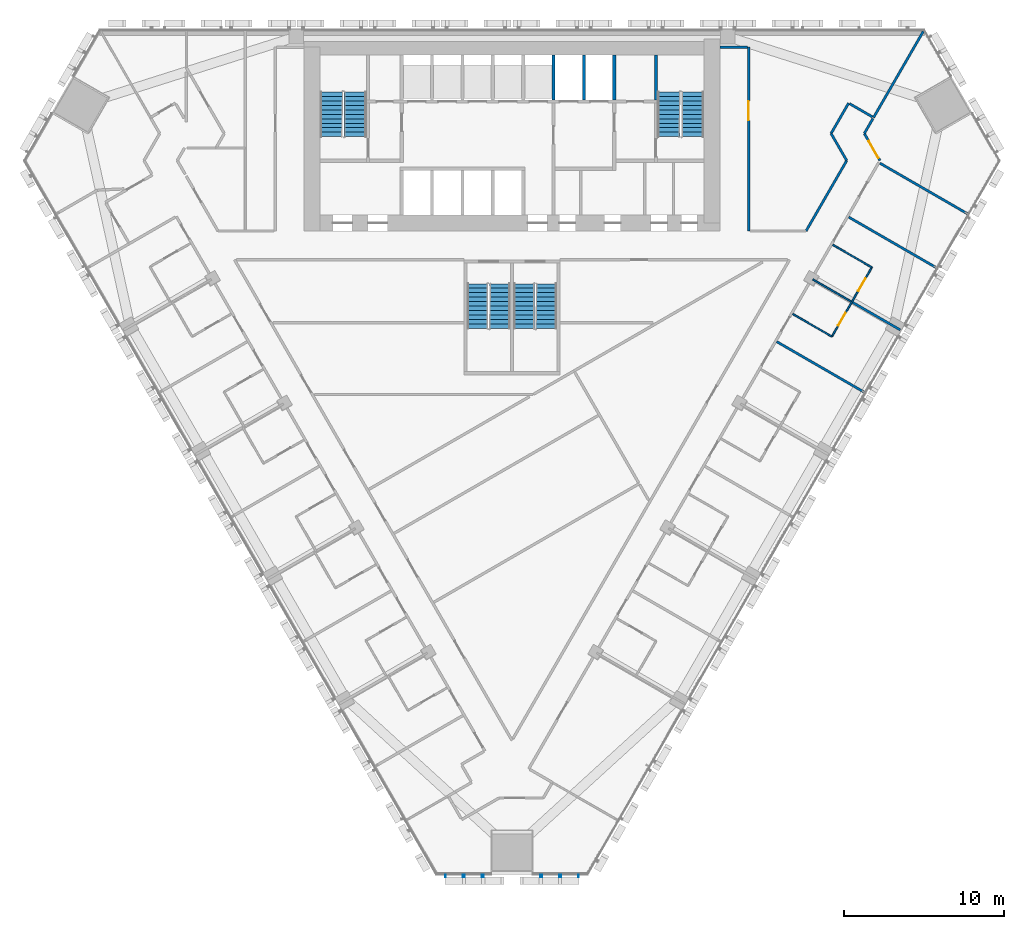
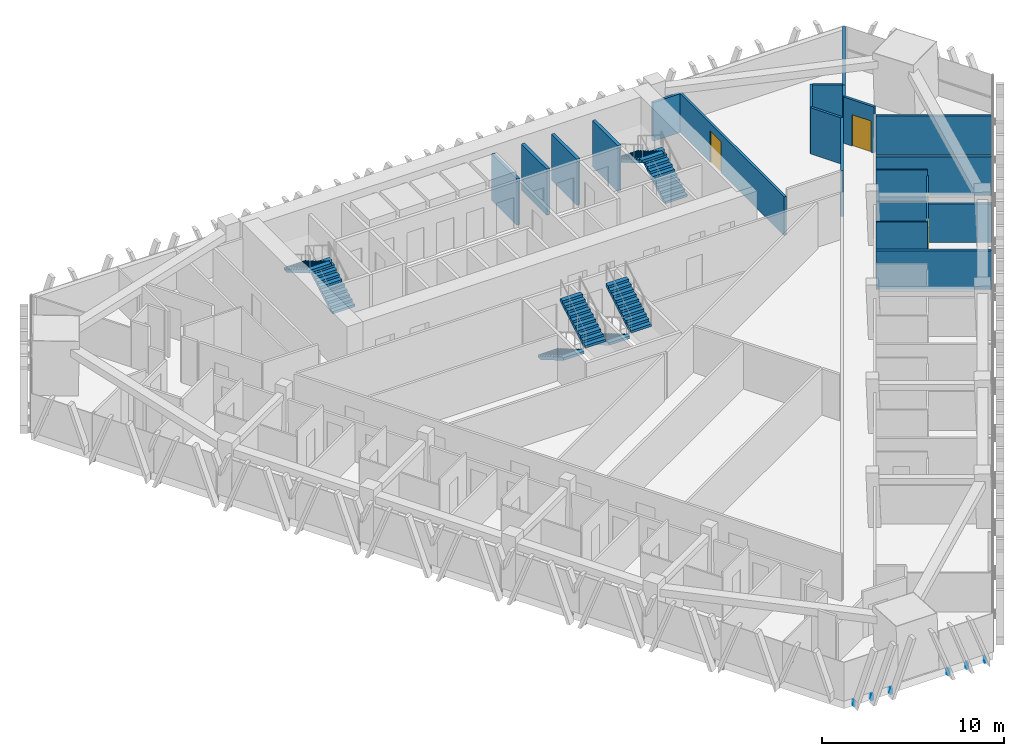
# One storey, part 13 of 17: 21 walls, 8 stair flights, 4 doors, 1 discrete accessory, 4 openings, 4 elements without a shape of their own.
"""IFC4 building model written with IfcOpenShell, lengths in metres."""

from ifc_helpers import new_model, si_unit, direction, frame, frame_2d, origin, place, context, subcontext, project, spatial, polyline, rectangle, outline, extrude, source, transform, mapped, material, layer, layer_set, type_object, element, fill, aggregate, save


model = new_model("IFC4")

# Units and contexts
model_context = context("Model", 3, precision=1e-05, world=origin(), true_north=direction((0.0, 1.0)))
body_context = subcontext(model_context, "Body", "Model", "MODEL_VIEW")
ifc_project = project(units=[si_unit("LENGTHUNIT", "METRE"), si_unit("AREAUNIT", "SQUARE_METRE"), si_unit("VOLUMEUNIT", "CUBIC_METRE"), si_unit("PLANEANGLEUNIT", "RADIAN"), si_unit("MASSUNIT", "GRAM", prefix="KILO")], contexts=[model_context])

# Site, building, storey
site_placement = place(None, origin())
site = spatial("IfcSite", under=ifc_project, at=site_placement, CompositionType="ELEMENT")
building_placement = place(site_placement, origin())
building = spatial("IfcBuilding", under=site, at=building_placement, Name="Altiplano Prism Tower", CompositionType="ELEMENT")
storey_placement = place(building_placement, frame((0.0, 0.0, 52.199951171875)))
storey = spatial("IfcBuildingStorey", under=building, at=storey_placement, Name="L12", CompositionType="ELEMENT", Elevation=52.199951171875)

# Walls
ifc_material_1 = material(Name="Plasterboard on steel stud", Category="steel")
ifc_layer_1 = layer(ifc_material_1, 0.10009765625)
ifc_layer_set_1 = layer_set([ifc_layer_1], Name="Plasterboard on steel stud")
wall_type_1 = type_object("IfcWallType", Name="Partition 100 unit", PredefinedType="PARTITIONING", material=ifc_layer_set_1)
for number, where, z_axis, x_axis, name in (
    (1, (105.009033203125, 85.796142578125, 0.0), (0.0, 0.0, 1.0), (-0.866048868473, 0.499959355765, 0.0), "Partition P02 L12 102"),
    (2, (105.0625, 91.538818359375, 0.0), (0.0, 0.0, 1.0), (0.866011447264, -0.500024172624, 0.0), "Partition P02 L12 105"),
):
    element("IfcWall", number, at=place(storey_placement, frame(where, z_axis=z_axis, x_axis=x_axis)), inside=storey, type_object=wall_type_1, Name=name, PredefinedType="PARTITIONING", context=body_context, shape_type="SweptSolid", body=[
        extrude(rectangle(XDim=2.824951171875, YDim=0.10009765625, at=frame_2d((1.41259765625, 0.0))), origin(), (0.0, 0.0, 1.0), 3.10009765625),
    ])

# Wall, openings, doors
wall_1_placement = place(storey_placement, frame((107.509033203125, 90.126220703125, 0.0), z_axis=(0.0, 0.0, 1.0), x_axis=(-0.500004234368, -0.866022959057, 0.0)))
wall_1 = element("IfcWall", 3, at=wall_1_placement, inside=storey, type_object=wall_type_1, Name="Partition P02 L12 106", PredefinedType="PARTITIONING", context=body_context, shape_type="SweptSolid", body=[
    extrude(rectangle(XDim=5.0, YDim=0.10009765625, at=frame_2d((2.5, 0.0))), origin(), (0.0, 0.0, 1.0), 2.699951171875),
])
opening_1_placement = place(wall_1_placement, frame((3.300048828125, 0.0, 0.0)))
opening_1 = element("IfcOpeningElement", 4, at=opening_1_placement, cuts=wall_1, Name="Opening D0508", PredefinedType="OPENING", context=body_context, shape_type="SweptSolid", body=[
    extrude(rectangle(XDim=0.89990234375, YDim=2.10009765625, at=frame_2d((0.449951171875, 1.050048828125))), frame((0.0, 0.060546875, 0.0), z_axis=(0.0, -1.0, 0.0), x_axis=(1.0, 0.0, 0.0)), (0.0, 0.0, 1.0), 0.12109375),
])
opening_2_placement = place(wall_1_placement, frame((0.800048828125, 0.0, 0.0)))
opening_2 = element("IfcOpeningElement", 5, at=opening_2_placement, cuts=wall_1, Name="Opening D0510", PredefinedType="OPENING", context=body_context, shape_type="SweptSolid", body=[
    extrude(rectangle(XDim=0.89990234375, YDim=2.10009765625, at=frame_2d((0.449951171875, 1.050048828125))), frame((0.0, 0.060546875, 0.0), z_axis=(0.0, -1.0, 0.0), x_axis=(1.0, 0.0, 0.0)), (0.0, 0.0, 1.0), 0.12109375),
])
ifc_material_2 = material(Name="Timber", Category="wood")
door_type_1 = type_object("IfcDoorType", Name="Ensuite door 900 x 2100", OperationType="NOTDEFINED", PredefinedType="NOTDEFINED", material=ifc_material_2)
door_1_placement = place(opening_1_placement, origin())
door_1 = element("IfcDoor", 6, at=door_1_placement, inside=storey, type_object=door_type_1, Name="Door D0508", OperationType="SINGLE_SWING_LEFT", OverallHeight=2.10009765625, OverallWidth=0.89990234375, PredefinedType="NOTDEFINED", context=body_context, shape_type="SweptSolid", body=[
    extrude(rectangle(XDim=0.89990234375, YDim=2.10009765625, at=frame_2d((0.449951171875, 1.050048828125))), frame((0.0, 0.02490234375, 0.0), z_axis=(0.0, -1.0, 0.0), x_axis=(1.0, 0.0, 0.0)), (0.0, 0.0, 1.0), 0.050048828125),
])
fill(opening_1, door_1)
door_2_placement = place(opening_2_placement, origin())
door_2 = element("IfcDoor", 7, at=door_2_placement, inside=storey, type_object=door_type_1, Name="Door D0510", OperationType="SINGLE_SWING_LEFT", OverallHeight=2.10009765625, OverallWidth=0.89990234375, PredefinedType="NOTDEFINED", context=body_context, shape_type="SweptSolid", body=[
    extrude(rectangle(XDim=0.89990234375, YDim=2.10009765625, at=frame_2d((0.449951171875, 1.050048828125))), frame((0.0, 0.02490234375, 0.0), z_axis=(0.0, -1.0, 0.0), x_axis=(1.0, 0.0, 0.0)), (0.0, 0.0, 1.0), 0.050048828125),
])
fill(opening_2, door_2)

# Wall
ifc_layer_2 = layer(ifc_material_1, 0.10009765625)
ifc_layer_set_2 = layer_set([ifc_layer_2], Name="Plasterboard on steel stud")
wall_type_2 = type_object("IfcWallType", Name="Partition 100 wet", PredefinedType="PARTITIONING", material=ifc_layer_set_2)
wall_2_placement = place(storey_placement, frame((106.215576171875, 87.986083984375, 0.0), z_axis=(0.0, 0.0, 1.0), x_axis=(-0.865981921271, 0.50007530636, 0.0)))
element("IfcWall", 8, at=wall_2_placement, inside=storey, type_object=wall_type_2, Name="Partition P03 L12 104", PredefinedType="PARTITIONING", context=body_context, shape_type="SweptSolid", body=[
    extrude(rectangle(XDim=2.77490234375, YDim=0.10009765625, at=frame_2d((1.387451171875, 0.0))), origin(), (0.0, 0.0, 1.0), 2.699951171875),
])

# Wall, opening, door
ifc_layer_3 = layer(ifc_material_1, 0.14990234375)
ifc_layer_set_3 = layer_set([ifc_layer_3], Name="Plasterboard on steel stud")
wall_type_3 = type_object("IfcWallType", Name="Partition 150 corridor", PredefinedType="PARTITIONING", material=ifc_layer_set_3)
wall_3_placement = place(storey_placement, frame((108.01708984375, 96.806396484375, 0.0), z_axis=(0.0, 0.0, 1.0), x_axis=(-0.499992620187, 0.866029664479, 0.0)))
wall_3 = element("IfcWall", 9, at=wall_3_placement, inside=storey, type_object=wall_type_3, Name="Partition P06 L12 034", PredefinedType="PARTITIONING", context=body_context, shape_type="SweptSolid", body=[
    extrude(rectangle(XDim=1.95556640625, YDim=0.14990234375, at=frame_2d((0.977783203125, 0.0))), origin(), (0.0, 0.0, 1.0), 3.10009765625),
])
opening_3_placement = place(wall_3_placement, frame((0.199951171875, 0.0, 0.0)))
opening_3 = element("IfcOpeningElement", 10, at=opening_3_placement, cuts=wall_3, Name="Opening D0512", PredefinedType="OPENING", context=body_context, shape_type="SweptSolid", body=[
    extrude(rectangle(XDim=1.199951171875, YDim=2.10009765625, at=frame_2d((0.60009765625, 1.050048828125))), frame((0.0, 0.08544921875, 0.0), z_axis=(0.0, -1.0, 0.0), x_axis=(1.0, 0.0, 0.0)), (0.0, 0.0, 1.0), 0.1708984375),
])
door_type_2 = type_object("IfcDoorType", Name="Shared room door 1200 x 2100", OperationType="NOTDEFINED", PredefinedType="NOTDEFINED", material=ifc_material_2)
door_3_placement = place(opening_3_placement, origin())
door_3 = element("IfcDoor", 11, at=door_3_placement, inside=storey, type_object=door_type_2, Name="Door D0512", OperationType="SINGLE_SWING_LEFT", OverallHeight=2.10009765625, OverallWidth=1.199951171875, PredefinedType="NOTDEFINED", context=body_context, shape_type="SweptSolid", body=[
    extrude(rectangle(XDim=1.199951171875, YDim=2.10009765625, at=frame_2d((0.60009765625, 1.050048828125))), frame((0.0, 0.02490234375, 0.0), z_axis=(0.0, -1.0, 0.0), x_axis=(1.0, 0.0, 0.0)), (0.0, 0.0, 1.0), 0.050048828125),
])
fill(opening_3, door_3)

# Walls
wall_4_placement = place(storey_placement, frame((107.039306640625, 98.5, 0.0), z_axis=(0.0, 0.0, 1.0), x_axis=(0.499957341738, 0.866050031143, 0.0)))
element("IfcWall", 12, at=wall_4_placement, inside=storey, type_object=wall_type_3, Name="Partition P06 L12 035", PredefinedType="PARTITIONING", context=body_context, shape_type="SweptSolid", body=[
    extrude(rectangle(XDim=1.07958984375, YDim=0.14990234375, at=frame_2d((0.539794921875, 0.0))), origin(), (0.0, 0.0, 1.0), 3.10009765625),
])
wall_5_placement = place(storey_placement, frame((107.551513671875, 99.53759765625, 0.0), z_axis=(0.0, 0.0, 1.0), x_axis=(-0.866040211805, 0.499974350878, 0.0)))
element("IfcWall", 13, at=wall_5_placement, inside=storey, type_object=wall_type_3, Name="Partition P06 L12 036", PredefinedType="PARTITIONING", context=body_context, shape_type="SweptSolid", body=[
    extrude(rectangle(XDim=1.64990234375, YDim=0.14990234375, at=frame_2d((0.824951171875, 0.0))), origin(), (0.0, 0.0, 1.0), 3.10009765625),
])
wall_6_placement = place(storey_placement, frame((106.0576171875, 100.39990234375, 0.0), z_axis=(0.0, 0.0, 1.0), x_axis=(-0.500005024956, -0.866022502605, 0.0)))
element("IfcWall", 14, at=wall_6_placement, inside=storey, type_object=wall_type_3, Name="Partition P06 L12 037", PredefinedType="PARTITIONING", context=body_context, shape_type="SweptSolid", body=[
    extrude(rectangle(XDim=2.19384765625, YDim=0.14990234375, at=frame_2d((1.096923828125, 0.0))), origin(), (0.0, 0.0, 1.0), 3.10009765625),
])
wall_7_placement = place(storey_placement, frame((104.960693359375, 98.5, 0.0), z_axis=(0.0, 0.0, 1.0), x_axis=(0.500086243919, -0.865975605109, 0.0)))
element("IfcWall", 15, at=wall_7_placement, inside=storey, type_object=wall_type_3, Name="Partition P06 L12 038", PredefinedType="PARTITIONING", context=body_context, shape_type="SweptSolid", body=[
    extrude(rectangle(XDim=1.955810546875, YDim=0.14990234375, at=frame_2d((0.97802734375, 0.0))), origin(), (0.0, 0.0, 1.0), 3.10009765625),
])
wall_8_placement = place(storey_placement, frame((105.938720703125, 96.806396484375, 0.0), z_axis=(0.0, 0.0, 1.0), x_axis=(-0.500014573982, -0.866016989329, 0.0)))
element("IfcWall", 16, at=wall_8_placement, inside=storey, type_object=wall_type_3, Name="Partition P06 L12 039", PredefinedType="PARTITIONING", context=body_context, shape_type="SweptSolid", body=[
    extrude(rectangle(XDim=5.088134765625, YDim=0.14990234375, at=frame_2d((2.5439453125, 0.0))), origin(), (0.0, 0.0, 1.0), 3.10009765625),
])

# Wall, opening, door
wall_9_placement = place(storey_placement, frame((99.800048828125, 92.39990234375, 0.0), z_axis=(0.0, 0.0, 1.0), x_axis=(0.0, 1.0, 0.0)))
wall_9 = element("IfcWall", 17, at=wall_9_placement, inside=storey, type_object=wall_type_3, Name="Partition P06 L12 041", PredefinedType="PARTITIONING", context=body_context, shape_type="SweptSolid", body=[
    extrude(rectangle(XDim=11.5, YDim=0.14990234375, at=frame_2d((5.75, 0.0))), origin(), (0.0, 0.0, 1.0), 2.60009765625),
])
opening_4_placement = place(wall_9_placement, frame((6.928955078125, 0.0, 0.0)))
opening_4 = element("IfcOpeningElement", 18, at=opening_4_placement, cuts=wall_9, Name="Opening D0513", PredefinedType="OPENING", context=body_context, shape_type="SweptSolid", body=[
    extrude(rectangle(XDim=1.199951171875, YDim=2.10009765625, at=frame_2d((0.60009765625, 1.050048828125))), frame((0.0, 0.08544921875, 0.0), z_axis=(0.0, -1.0, 0.0), x_axis=(1.0, 0.0, 0.0)), (0.0, 0.0, 1.0), 0.1708984375),
])
door_4_placement = place(opening_4_placement, origin())
door_4 = element("IfcDoor", 19, at=door_4_placement, inside=storey, type_object=door_type_2, Name="Door D0513", OperationType="SINGLE_SWING_LEFT", OverallHeight=2.10009765625, OverallWidth=1.199951171875, PredefinedType="NOTDEFINED", context=body_context, shape_type="SweptSolid", body=[
    extrude(rectangle(XDim=1.199951171875, YDim=2.10009765625, at=frame_2d((0.60009765625, 1.050048828125))), frame((0.0, 0.02490234375, 0.0), z_axis=(0.0, -1.0, 0.0), x_axis=(1.0, 0.0, 0.0)), (0.0, 0.0, 1.0), 0.050048828125),
])
fill(opening_4, door_4)

# Walls
wall_10_placement = place(storey_placement, frame((99.72509765625, 103.89990234375, 0.0), z_axis=(0.0, 0.0, 1.0), x_axis=(-1.0, 0.0, 0.0)))
element("IfcWall", 20, at=wall_10_placement, inside=storey, type_object=wall_type_3, Name="Partition P06 L12 042", PredefinedType="PARTITIONING", context=body_context, shape_type="SweptSolid", body=[
    extrude(rectangle(XDim=1.72509765625, YDim=0.14990234375, at=frame_2d((0.862548828125, 0.0))), origin(), (0.0, 0.0, 1.0), 2.60009765625),
])
ifc_layer_4 = layer(ifc_material_1, 0.14990234375)
ifc_layer_set_4 = layer_set([ifc_layer_4], Name="Plasterboard on steel stud")
wall_type_4 = type_object("IfcWallType", Name="Partition 150 party", PredefinedType="PARTITIONING", material=ifc_layer_set_4)
wall_11_placement = place(storey_placement, frame((107.0576171875, 82.303955078125, 0.0), z_axis=(0.0, 0.0, 1.0), x_axis=(-0.866025401434, 0.500000004071, 0.0)))
element("IfcWall", 21, at=wall_11_placement, inside=storey, type_object=wall_type_4, Name="Partition P01 L12 101", PredefinedType="PARTITIONING", context=body_context, shape_type="SweptSolid", body=[
    extrude(rectangle(XDim=6.34521484375, YDim=0.14990234375, at=frame_2d((3.172607421875, 0.0))), origin(), (0.0, 0.0, 1.0), 2.60009765625),
])
wall_12_placement = place(storey_placement, frame((109.2900390625, 86.211181640625, 0.0), z_axis=(0.0, 0.0, 1.0), x_axis=(-0.866013532718, 0.500020560727, 0.0)))
element("IfcWall", 22, at=wall_12_placement, inside=storey, type_object=wall_type_4, Name="Partition P01 L12 103", PredefinedType="PARTITIONING", context=body_context, shape_type="SweptSolid", body=[
    extrude(rectangle(XDim=3.449951171875, YDim=0.14990234375, at=frame_2d((1.72509765625, 0.0))), origin(), (0.0, 0.0, 1.0), 2.60009765625),
])
for number, where, z_axis, x_axis, name in (
    (23, (111.5576171875, 90.09814453125, 0.0), (0.0, 0.0, 1.0), (-0.866025401434, 0.500000004071, 0.0), "Partition P01 L12 107"),
    (24, (113.505615234375, 93.47216796875, 0.0), (0.0, 0.0, 1.0), (-0.866025401434, 0.500000004071, 0.0), "Partition P01 L12 108"),
):
    element("IfcWall", number, at=place(storey_placement, frame(where, z_axis=z_axis, x_axis=x_axis)), inside=storey, type_object=wall_type_4, Name=name, PredefinedType="PARTITIONING", context=body_context, shape_type="SweptSolid", body=[
        extrude(rectangle(XDim=6.34521484375, YDim=0.14990234375, at=frame_2d((3.172607421875, 0.0))), origin(), (0.0, 0.0, 1.0), 2.60009765625),
    ])
wall_13_placement = place(storey_placement, frame((110.734375, 104.89990234375, 0.0), z_axis=(0.0, 0.0, 1.0), x_axis=(-0.500034261589, -0.866005621943, 0.0)))
element("IfcWall", 25, at=wall_13_placement, inside=storey, type_object=wall_type_4, Name="Partition P01 L12 109", PredefinedType="PARTITIONING", context=body_context, shape_type="SweptSolid", body=[
    extrude(rectangle(XDim=6.2353515625, YDim=0.14990234375, at=frame_2d((3.11767578125, 0.0))), origin(), (0.0, 0.0, 1.0), 2.60009765625),
])
ifc_material_3 = material(Name="Concrete C60/75", Category="concrete")
ifc_layer_5 = layer(ifc_material_3, 0.199951171875)
ifc_layer_set_5 = layer_set([ifc_layer_5], Name="Concrete C60/75")
wall_type_5 = type_object("IfcWallType", Name="Shaft wall 200", PredefinedType="SOLIDWALL", material=ifc_layer_set_5)
for number, where, z_axis, x_axis, name in (
    (26, (87.60009765625, 100.60009765625, 0.0), (0.0, 0.0, 1.0), (0.0, 1.0, 0.0), "Shaft wall L12"),
    (27, (89.5, 100.60009765625, 0.0), (0.0, 0.0, 1.0), (0.0, 1.0, 0.0), "Shaft wall L12"),
    (28, (91.39990234375, 100.60009765625, 0.0), (0.0, 0.0, 1.0), (0.0, 1.0, 0.0), "Shaft wall L12"),
):
    element("IfcWall", number, at=place(storey_placement, frame(where, z_axis=z_axis, x_axis=x_axis)), inside=storey, type_object=wall_type_5, Name=name, PredefinedType="SOLIDWALL", context=body_context, shape_type="SweptSolid", body=[
        extrude(rectangle(XDim=2.7998046875, YDim=0.199951171875, at=frame_2d((1.39990234375, 0.0))), origin(), (0.0, 0.0, 1.0), 3.10009765625),
    ])
ifc_layer_6 = layer(ifc_material_3, 0.199951171875)
ifc_layer_set_6 = layer_set([ifc_layer_6], Name="Concrete C60/75")
wall_type_6 = type_object("IfcWallType", Name="Stair wall 200", PredefinedType="SOLIDWALL", material=ifc_layer_set_6)
wall_14_placement = place(storey_placement, frame((94.0, 100.60009765625, 0.0), z_axis=(0.0, 0.0, 1.0), x_axis=(0.0, 1.0, 0.0)))
element("IfcWall", 29, at=wall_14_placement, inside=storey, type_object=wall_type_6, Name="Stair wall L12", PredefinedType="SOLIDWALL", context=body_context, shape_type="SweptSolid", body=[
    extrude(rectangle(XDim=2.7998046875, YDim=0.199951171875, at=frame_2d((1.39990234375, 0.0))), origin(), (0.0, 0.0, 1.0), 3.10009765625),
])

# Stair, stair flights
ifc_material_4 = material(Name="Concrete C40/50", Category="concrete")
stair_type_1 = type_object("IfcStairType", Name="Exit stair 1400", PredefinedType="HALF_TURN_STAIR", material=ifc_material_4)
stair_1_placement = place(storey_placement, origin())
stair_1 = element("IfcStair", 30, at=stair_1_placement, inside=storey, type_object=stair_type_1, Name="L12 Exit Stair 1", PredefinedType="HALF_TURN_STAIR")
stair_flight_type = type_object("IfcStairFlightType", Name="Stair flight concrete 150", PredefinedType="STRAIGHT", material=ifc_material_4)
stair_flight_1_placement = place(storey_placement, frame((75.199951171875, 98.300048828125, 0.0), z_axis=(0.0, 0.0, 1.0), x_axis=(0.0, 1.0, 0.0)))
stair_flight_1 = element("IfcStairFlight", 31, at=stair_flight_1_placement, type_object=stair_flight_type, Name="ST1 flight 1", NumberOfRisers=11, NumberOfTreads=10, PredefinedType="STRAIGHT", RiserHeight=0.163636364, TreadLength=0.28, context=body_context, shape_type="SweptSolid", body=[
    extrude(outline(polyline([(0.0, 0.0), (0.0, 0.16357421875), (0.280029296875, 0.16357421875), (0.280029296875, 0.327392578125), (0.56005859375, 0.327392578125), (0.56005859375, 0.490966796875), (0.840087890625, 0.490966796875), (0.840087890625, 0.654541015625), (1.1201171875, 0.654541015625), (1.1201171875, 0.818115234375), (1.39990234375, 0.818115234375), (1.39990234375, 0.98193359375), (1.679931640625, 0.98193359375), (1.679931640625, 1.1455078125), (1.9599609375, 1.1455078125), (1.9599609375, 1.30908203125), (2.239990234375, 1.30908203125), (2.239990234375, 1.47265625), (2.52001953125, 1.47265625), (2.52001953125, 1.636474609375), (2.800048828125, 1.636474609375), (2.800048828125, 1.800048828125), (2.800048828125, 1.462646484375), (0.297119140625, 0.0), (0.0, 0.0)])), frame((0.0, 0.699951171875, 0.0), z_axis=(0.0, -1.0, 0.0), x_axis=(1.0, 0.0, 0.0)), (0.0, 0.0, 1.0), 1.39990234375),
])
stair_flight_2_placement = place(storey_placement, frame((73.699951171875, 101.10009765625, 1.800048828125), z_axis=(0.0, 0.0, 1.0), x_axis=(0.0, -1.0, 0.0)))
stair_flight_2 = element("IfcStairFlight", 32, at=stair_flight_2_placement, type_object=stair_flight_type, Name="ST1 flight 2", NumberOfRisers=11, NumberOfTreads=10, PredefinedType="STRAIGHT", RiserHeight=0.163636364, TreadLength=0.28, context=body_context, shape_type="SweptSolid", body=[
    extrude(outline(polyline([(0.0, 0.0), (0.0, 0.16357421875), (0.280029296875, 0.16357421875), (0.280029296875, 0.327392578125), (0.56005859375, 0.327392578125), (0.56005859375, 0.490966796875), (0.840087890625, 0.490966796875), (0.840087890625, 0.654541015625), (1.1201171875, 0.654541015625), (1.1201171875, 0.818115234375), (1.39990234375, 0.818115234375), (1.39990234375, 0.98193359375), (1.679931640625, 0.98193359375), (1.679931640625, 1.1455078125), (1.9599609375, 1.1455078125), (1.9599609375, 1.30908203125), (2.239990234375, 1.30908203125), (2.239990234375, 1.47265625), (2.52001953125, 1.47265625), (2.52001953125, 1.636474609375), (2.800048828125, 1.636474609375), (2.800048828125, 1.800048828125), (2.800048828125, 1.462646484375), (0.297119140625, 0.0), (0.0, 0.0)])), frame((0.0, 0.699951171875, 0.0), z_axis=(0.0, -1.0, 0.0), x_axis=(1.0, 0.0, 0.0)), (0.0, 0.0, 1.0), 1.39990234375),
])
aggregate(stair_1, [stair_flight_1, stair_flight_2])

stair_2_placement = place(storey_placement, origin())
stair_2 = element("IfcStair", 33, at=stair_2_placement, inside=storey, type_object=stair_type_1, Name="L12 Exit Stair 2", PredefinedType="HALF_TURN_STAIR")
stair_flight_3_placement = place(storey_placement, frame((96.300048828125, 98.300048828125, 0.0), z_axis=(0.0, 0.0, 1.0), x_axis=(0.0, 1.0, 0.0)))
stair_flight_3 = element("IfcStairFlight", 34, at=stair_flight_3_placement, type_object=stair_flight_type, Name="ST2 flight 1", NumberOfRisers=11, NumberOfTreads=10, PredefinedType="STRAIGHT", RiserHeight=0.163636364, TreadLength=0.28, context=body_context, shape_type="SweptSolid", body=[
    extrude(outline(polyline([(0.0, 0.0), (0.0, 0.16357421875), (0.280029296875, 0.16357421875), (0.280029296875, 0.327392578125), (0.56005859375, 0.327392578125), (0.56005859375, 0.490966796875), (0.840087890625, 0.490966796875), (0.840087890625, 0.654541015625), (1.1201171875, 0.654541015625), (1.1201171875, 0.818115234375), (1.39990234375, 0.818115234375), (1.39990234375, 0.98193359375), (1.679931640625, 0.98193359375), (1.679931640625, 1.1455078125), (1.9599609375, 1.1455078125), (1.9599609375, 1.30908203125), (2.239990234375, 1.30908203125), (2.239990234375, 1.47265625), (2.52001953125, 1.47265625), (2.52001953125, 1.636474609375), (2.800048828125, 1.636474609375), (2.800048828125, 1.800048828125), (2.800048828125, 1.462646484375), (0.297119140625, 0.0), (0.0, 0.0)])), frame((0.0, 0.699951171875, 0.0), z_axis=(0.0, -1.0, 0.0), x_axis=(1.0, 0.0, 0.0)), (0.0, 0.0, 1.0), 1.39990234375),
])
stair_flight_4_placement = place(storey_placement, frame((94.800048828125, 101.10009765625, 1.800048828125), z_axis=(0.0, 0.0, 1.0), x_axis=(0.0, -1.0, 0.0)))
stair_flight_4 = element("IfcStairFlight", 35, at=stair_flight_4_placement, type_object=stair_flight_type, Name="ST2 flight 2", NumberOfRisers=11, NumberOfTreads=10, PredefinedType="STRAIGHT", RiserHeight=0.163636364, TreadLength=0.28, context=body_context, shape_type="SweptSolid", body=[
    extrude(outline(polyline([(0.0, 0.0), (0.0, 0.16357421875), (0.280029296875, 0.16357421875), (0.280029296875, 0.327392578125), (0.56005859375, 0.327392578125), (0.56005859375, 0.490966796875), (0.840087890625, 0.490966796875), (0.840087890625, 0.654541015625), (1.1201171875, 0.654541015625), (1.1201171875, 0.818115234375), (1.39990234375, 0.818115234375), (1.39990234375, 0.98193359375), (1.679931640625, 0.98193359375), (1.679931640625, 1.1455078125), (1.9599609375, 1.1455078125), (1.9599609375, 1.30908203125), (2.239990234375, 1.30908203125), (2.239990234375, 1.47265625), (2.52001953125, 1.47265625), (2.52001953125, 1.636474609375), (2.800048828125, 1.636474609375), (2.800048828125, 1.800048828125), (2.800048828125, 1.462646484375), (0.297119140625, 0.0), (0.0, 0.0)])), frame((0.0, 0.699951171875, 0.0), z_axis=(0.0, -1.0, 0.0), x_axis=(1.0, 0.0, 0.0)), (0.0, 0.0, 1.0), 1.39990234375),
])
aggregate(stair_2, [stair_flight_3, stair_flight_4])

stair_type_2 = type_object("IfcStairType", Name="Exit stair 1300", PredefinedType="HALF_TURN_STAIR", material=ifc_material_4)
stair_3_placement = place(storey_placement, origin())
stair_3 = element("IfcStair", 36, at=stair_3_placement, inside=storey, type_object=stair_type_2, Name="L12 Exit Stair 3A", PredefinedType="HALF_TURN_STAIR")
stair_flight_5_placement = place(storey_placement, frame((82.85009765625, 89.10009765625, 0.0), z_axis=(0.0, 0.0, 1.0), x_axis=(0.0, -1.0, 0.0)))
stair_flight_5 = element("IfcStairFlight", 37, at=stair_flight_5_placement, type_object=stair_flight_type, Name="ST3A flight 1", NumberOfRisers=11, NumberOfTreads=10, PredefinedType="STRAIGHT", RiserHeight=0.163636364, TreadLength=0.28, context=body_context, shape_type="SweptSolid", body=[
    extrude(outline(polyline([(0.0, 0.0), (0.0, 0.16357421875), (0.280029296875, 0.16357421875), (0.280029296875, 0.327392578125), (0.56005859375, 0.327392578125), (0.56005859375, 0.490966796875), (0.840087890625, 0.490966796875), (0.840087890625, 0.654541015625), (1.1201171875, 0.654541015625), (1.1201171875, 0.818115234375), (1.39990234375, 0.818115234375), (1.39990234375, 0.98193359375), (1.679931640625, 0.98193359375), (1.679931640625, 1.1455078125), (1.9599609375, 1.1455078125), (1.9599609375, 1.30908203125), (2.239990234375, 1.30908203125), (2.239990234375, 1.47265625), (2.52001953125, 1.47265625), (2.52001953125, 1.636474609375), (2.800048828125, 1.636474609375), (2.800048828125, 1.800048828125), (2.800048828125, 1.462646484375), (0.297119140625, 0.0), (0.0, 0.0)])), frame((0.0, 0.64990234375, 0.0), z_axis=(0.0, -1.0, 0.0), x_axis=(1.0, 0.0, 0.0)), (0.0, 0.0, 1.0), 1.300048828125),
])
stair_flight_6_placement = place(storey_placement, frame((84.25, 86.300048828125, 1.800048828125), z_axis=(0.0, 0.0, 1.0), x_axis=(0.0, 1.0, 0.0)))
stair_flight_6 = element("IfcStairFlight", 38, at=stair_flight_6_placement, type_object=stair_flight_type, Name="ST3A flight 2", NumberOfRisers=11, NumberOfTreads=10, PredefinedType="STRAIGHT", RiserHeight=0.163636364, TreadLength=0.28, context=body_context, shape_type="SweptSolid", body=[
    extrude(outline(polyline([(0.0, 0.0), (0.0, 0.16357421875), (0.280029296875, 0.16357421875), (0.280029296875, 0.327392578125), (0.56005859375, 0.327392578125), (0.56005859375, 0.490966796875), (0.840087890625, 0.490966796875), (0.840087890625, 0.654541015625), (1.1201171875, 0.654541015625), (1.1201171875, 0.818115234375), (1.39990234375, 0.818115234375), (1.39990234375, 0.98193359375), (1.679931640625, 0.98193359375), (1.679931640625, 1.1455078125), (1.9599609375, 1.1455078125), (1.9599609375, 1.30908203125), (2.239990234375, 1.30908203125), (2.239990234375, 1.47265625), (2.52001953125, 1.47265625), (2.52001953125, 1.636474609375), (2.800048828125, 1.636474609375), (2.800048828125, 1.800048828125), (2.800048828125, 1.462646484375), (0.297119140625, 0.0), (0.0, 0.0)])), frame((0.0, 0.64990234375, 0.0), z_axis=(0.0, -1.0, 0.0), x_axis=(1.0, 0.0, 0.0)), (0.0, 0.0, 1.0), 1.300048828125),
])
aggregate(stair_3, [stair_flight_5, stair_flight_6])

stair_4_placement = place(storey_placement, origin())
stair_4 = element("IfcStair", 39, at=stair_4_placement, inside=storey, type_object=stair_type_2, Name="L12 Exit Stair 3B", PredefinedType="HALF_TURN_STAIR")
stair_flight_7_placement = place(storey_placement, frame((85.75, 89.10009765625, 0.0), z_axis=(0.0, 0.0, 1.0), x_axis=(0.0, -1.0, 0.0)))
stair_flight_7 = element("IfcStairFlight", 40, at=stair_flight_7_placement, type_object=stair_flight_type, Name="ST3B flight 1", NumberOfRisers=11, NumberOfTreads=10, PredefinedType="STRAIGHT", RiserHeight=0.163636364, TreadLength=0.28, context=body_context, shape_type="SweptSolid", body=[
    extrude(outline(polyline([(0.0, 0.0), (0.0, 0.16357421875), (0.280029296875, 0.16357421875), (0.280029296875, 0.327392578125), (0.56005859375, 0.327392578125), (0.56005859375, 0.490966796875), (0.840087890625, 0.490966796875), (0.840087890625, 0.654541015625), (1.1201171875, 0.654541015625), (1.1201171875, 0.818115234375), (1.39990234375, 0.818115234375), (1.39990234375, 0.98193359375), (1.679931640625, 0.98193359375), (1.679931640625, 1.1455078125), (1.9599609375, 1.1455078125), (1.9599609375, 1.30908203125), (2.239990234375, 1.30908203125), (2.239990234375, 1.47265625), (2.52001953125, 1.47265625), (2.52001953125, 1.636474609375), (2.800048828125, 1.636474609375), (2.800048828125, 1.800048828125), (2.800048828125, 1.462646484375), (0.297119140625, 0.0), (0.0, 0.0)])), frame((0.0, 0.64990234375, 0.0), z_axis=(0.0, -1.0, 0.0), x_axis=(1.0, 0.0, 0.0)), (0.0, 0.0, 1.0), 1.300048828125),
])
stair_flight_8_placement = place(storey_placement, frame((87.14990234375, 86.300048828125, 1.800048828125), z_axis=(0.0, 0.0, 1.0), x_axis=(0.0, 1.0, 0.0)))
stair_flight_8 = element("IfcStairFlight", 41, at=stair_flight_8_placement, type_object=stair_flight_type, Name="ST3B flight 2", NumberOfRisers=11, NumberOfTreads=10, PredefinedType="STRAIGHT", RiserHeight=0.163636364, TreadLength=0.28, context=body_context, shape_type="SweptSolid", body=[
    extrude(outline(polyline([(0.0, 0.0), (0.0, 0.16357421875), (0.280029296875, 0.16357421875), (0.280029296875, 0.327392578125), (0.56005859375, 0.327392578125), (0.56005859375, 0.490966796875), (0.840087890625, 0.490966796875), (0.840087890625, 0.654541015625), (1.1201171875, 0.654541015625), (1.1201171875, 0.818115234375), (1.39990234375, 0.818115234375), (1.39990234375, 0.98193359375), (1.679931640625, 0.98193359375), (1.679931640625, 1.1455078125), (1.9599609375, 1.1455078125), (1.9599609375, 1.30908203125), (2.239990234375, 1.30908203125), (2.239990234375, 1.47265625), (2.52001953125, 1.47265625), (2.52001953125, 1.636474609375), (2.800048828125, 1.636474609375), (2.800048828125, 1.800048828125), (2.800048828125, 1.462646484375), (0.297119140625, 0.0), (0.0, 0.0)])), frame((0.0, 0.64990234375, 0.0), z_axis=(0.0, -1.0, 0.0), x_axis=(1.0, 0.0, 0.0)), (0.0, 0.0, 1.0), 1.300048828125),
])
aggregate(stair_4, [stair_flight_7, stair_flight_8])

# Discrete accessory
ifc_material_5 = material(Name="Stainless steel", Category="steel")
discrete_accessory_type = type_object("IfcDiscreteAccessoryType", Name="Stone fin fixing prongs", PredefinedType="USERDEFINED", material=ifc_material_5)
shared_shape = source(origin(), body_context, "Body", "SweptSolid", [
    extrude(outline(polyline([(-4.18994140625, 0.06005859375), (-4.129150390625, 0.06005859375), (-4.129150390625, 0.43994140625), (-4.18994140625, 0.43994140625), (-4.18994140625, 0.06005859375)])), frame((0.0, 0.0, 0.0), z_axis=(0.0, -1.0, 0.0), x_axis=(1.0, 0.0, 0.0)), (0.0, 0.0, 1.0), 0.14990234375),
    extrude(outline(polyline([(-3.079345703125, 0.06005859375), (-2.959228515625, 0.06005859375), (-2.959228515625, 0.43994140625), (-3.079345703125, 0.43994140625), (-3.079345703125, 0.06005859375)])), frame((0.0, 0.0, 0.0), z_axis=(0.0, -1.0, 0.0), x_axis=(1.0, 0.0, 0.0)), (0.0, 0.0, 1.0), 0.14990234375),
    extrude(outline(polyline([(-1.87939453125, 0.06005859375), (-1.75927734375, 0.06005859375), (-1.75927734375, 0.43994140625), (-1.87939453125, 0.43994140625), (-1.87939453125, 0.06005859375)])), frame((0.0, 0.0, 0.0), z_axis=(0.0, -1.0, 0.0), x_axis=(1.0, 0.0, 0.0)), (0.0, 0.0, 1.0), 0.14990234375),
    extrude(outline(polyline([(1.75927734375, 0.06005859375), (1.87939453125, 0.06005859375), (1.87939453125, 0.43994140625), (1.75927734375, 0.43994140625), (1.75927734375, 0.06005859375)])), frame((0.0, 0.0, 0.0), z_axis=(0.0, -1.0, 0.0), x_axis=(1.0, 0.0, 0.0)), (0.0, 0.0, 1.0), 0.14990234375),
    extrude(outline(polyline([(2.959228515625, 0.06005859375), (3.079345703125, 0.06005859375), (3.079345703125, 0.43994140625), (2.959228515625, 0.43994140625), (2.959228515625, 0.06005859375)])), frame((0.0, 0.0, 0.0), z_axis=(0.0, -1.0, 0.0), x_axis=(1.0, 0.0, 0.0)), (0.0, 0.0, 1.0), 0.14990234375),
    extrude(outline(polyline([(4.129150390625, 0.06005859375), (4.18994140625, 0.06005859375), (4.18994140625, 0.43994140625), (4.129150390625, 0.43994140625), (4.129150390625, 0.06005859375)])), frame((0.0, 0.0, 0.0), z_axis=(0.0, -1.0, 0.0), x_axis=(1.0, 0.0, 0.0)), (0.0, 0.0, 1.0), 0.14990234375),
])
discrete_accessory_placement = place(storey_placement, origin())
element("IfcDiscreteAccessory", 42, at=discrete_accessory_placement, inside=storey, type_object=discrete_accessory_type, Name="Fin fixings L12 south chamfer", ObjectType="BRACKET", PredefinedType="USERDEFINED", context=body_context, shape_type="MappedRepresentation", body=[
    mapped(shared_shape, transform((85.0, 52.13330078125, -0.5), x_axis=(1.0, 0.0, 0.0), y_axis=(0.0, 1.0, 0.0), z_axis=(0.0, 0.0, 1.0))),
])

save(model, "model.ifc")
